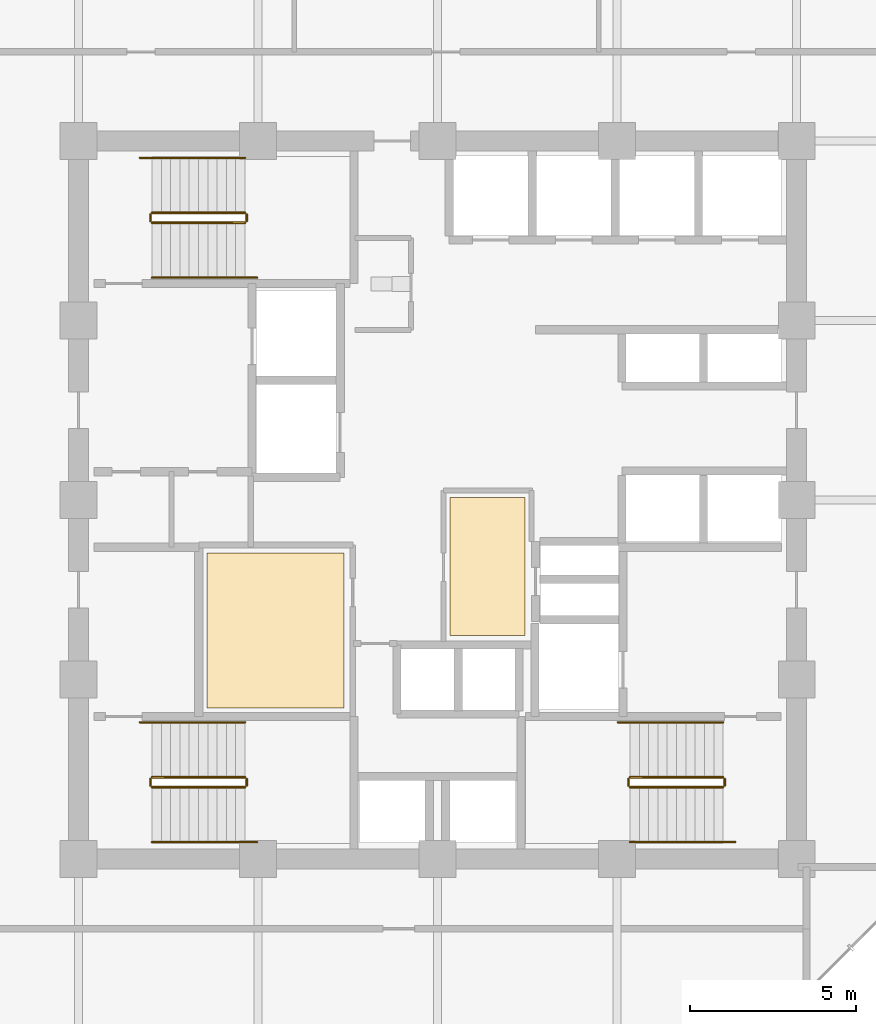
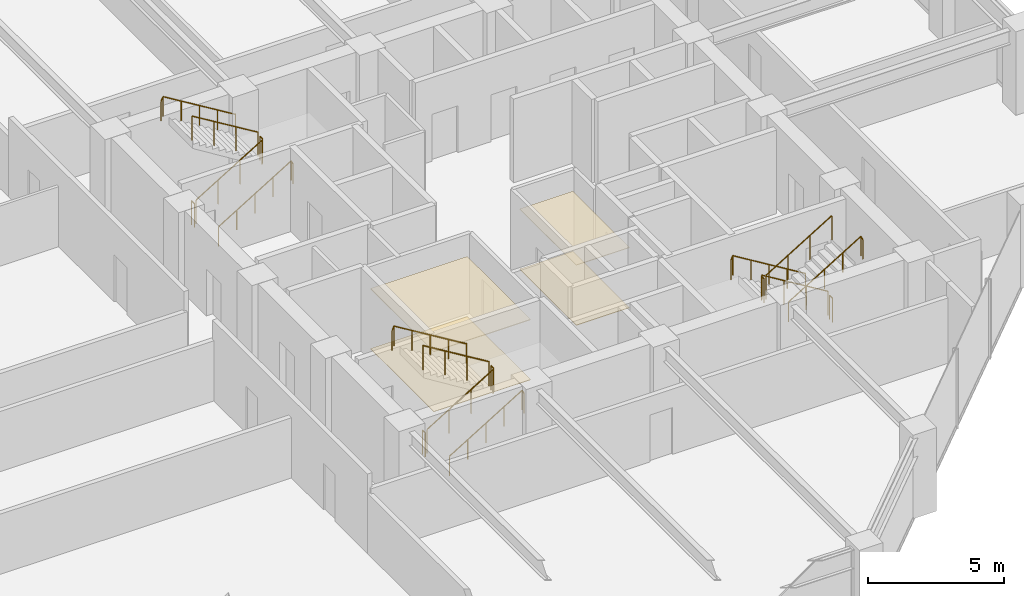
# One storey, part 22 of 23: 18 railings, 4 coverings.
"""IFC4 building model written with IfcOpenShell, lengths in metres."""

from ifc_helpers import new_model, si_unit, direction, frame, origin, origin_2d, place, context, subcontext, project, spatial, polyline, circle, outline, extrude, material, layer, layer_set, type_object, element, save


model = new_model("IFC4")

# Units and contexts
model_context = context("Model", 3, precision=1e-05, world=origin(), true_north=direction((0.0, 1.0)))
body_context = subcontext(model_context, "Body", "Model", "MODEL_VIEW")
ifc_project = project(units=[si_unit("LENGTHUNIT", "METRE"), si_unit("AREAUNIT", "SQUARE_METRE"), si_unit("VOLUMEUNIT", "CUBIC_METRE"), si_unit("PLANEANGLEUNIT", "RADIAN"), si_unit("MASSUNIT", "GRAM", prefix="KILO")], contexts=[model_context])

# Site, building, storey
site_placement = place(None, origin())
site = spatial("IfcSite", under=ifc_project, at=site_placement, CompositionType="ELEMENT")
building_placement = place(site_placement, origin())
building = spatial("IfcBuilding", under=site, at=building_placement, Name="Surkhivell Harbour Commons", CompositionType="ELEMENT")
storey_placement = place(building_placement, frame((0.0, 0.0, 132.0)))
storey = spatial("IfcBuildingStorey", under=building, at=storey_placement, Name="L34", CompositionType="ELEMENT", Elevation=132.0)

# Coverings
ifc_material_1 = material(Name="Perforated acoustic mineral-fibre ceiling tile", Category="other")
ifc_layer_1 = layer(ifc_material_1, 0.02490234375)
ifc_layer_set_1 = layer_set([ifc_layer_1], Name="Perforated acoustic mineral-fibre ceiling tile")
covering_type_1 = type_object("IfcCoveringType", Name="COV-CEIL-AC", PredefinedType="CEILING", material=ifc_layer_set_1)
covering_1_placement = place(storey_placement, frame((0.0, 0.0, 2.694091796875)))
element("IfcCovering", 1, at=covering_1_placement, inside=storey, type_object=covering_type_1, Name="L34 Suspended Acoustic Ceiling 1", PredefinedType="CEILING", context=body_context, shape_type="SweptSolid", body=[
    extrude(outline(polyline([(0.3701171875, -4.080078125), (2.6298828125, -4.080078125), (2.6298828125, 0.080078125), (0.3701171875, 0.080078125), (0.3701171875, -4.080078125)])), origin(), (0.0, 0.0, 1.0), 0.02490234375),
])
ifc_material_2 = material(Name="Moisture-resistant gypsum acoustic ceiling board", Category="other")
ifc_layer_2 = layer(ifc_material_2, 0.030029296875)
ifc_layer_set_2 = layer_set([ifc_layer_2], Name="Moisture-resistant gypsum acoustic ceiling board")
covering_type_2 = type_object("IfcCoveringType", Name="COV-CEIL-GYP", PredefinedType="CEILING", material=ifc_layer_set_2)
covering_2_placement = place(storey_placement, frame((0.0, 0.0, 2.68896484375)))
element("IfcCovering", 2, at=covering_2_placement, inside=storey, type_object=covering_type_2, Name="L34 Suspended Acoustic Ceiling 2", PredefinedType="CEILING", context=body_context, shape_type="SweptSolid", body=[
    extrude(outline(polyline([(-6.929931640625, -6.260009765625), (-2.820068359375, -6.260009765625), (-2.820068359375, -1.60009765625), (-6.929931640625, -1.60009765625), (-6.929931640625, -6.260009765625)])), origin(), (0.0, 0.0, 1.0), 0.030029296875),
])
ifc_material_3 = material(Name="Engineered acoustic oak timber flooring", Category="wood")
ifc_layer_3 = layer(ifc_material_3, 0.02001953125)
ifc_layer_set_3 = layer_set([ifc_layer_3], Name="Engineered acoustic oak timber flooring")
covering_type_3 = type_object("IfcCoveringType", Name="COV-FLR-TIM", PredefinedType="FLOORING", material=ifc_layer_set_3)
covering_3_placement = place(storey_placement, origin())
element("IfcCovering", 3, at=covering_3_placement, inside=storey, type_object=covering_type_3, Name="L34 Interior Floor Finish 1", PredefinedType="FLOORING", context=body_context, shape_type="SweptSolid", body=[
    extrude(outline(polyline([(0.3701171875, -4.080078125), (2.6298828125, -4.080078125), (2.6298828125, 0.080078125), (0.3701171875, 0.080078125), (0.3701171875, -4.080078125)])), origin(), (0.0, 0.0, 1.0), 0.02001953125),
])
covering_4_placement = place(storey_placement, origin())
element("IfcCovering", 4, at=covering_4_placement, inside=storey, type_object=covering_type_3, Name="L34 Interior Floor Finish 2", PredefinedType="FLOORING", context=body_context, shape_type="SweptSolid", body=[
    extrude(outline(polyline([(-6.929931640625, -6.260009765625), (-2.820068359375, -6.260009765625), (-2.820068359375, -1.60009765625), (-6.929931640625, -1.60009765625), (-6.929931640625, -6.260009765625)])), origin(), (0.0, 0.0, 1.0), 0.02001953125),
])

# Railings
ifc_material_4 = material(Name="Galvanised and painted steel S355 guard rail", Category="steel")
railing_type_1 = type_object("IfcRailingType", Name="RAL-ST-GRD1100", PredefinedType="GUARDRAIL", material=ifc_material_4)
railing_1_placement = place(storey_placement, frame((-8.590087890625, 8.340087890625, 0.17041015625)))
element("IfcRailing", 5, at=railing_1_placement, inside=storey, type_object=railing_type_1, Name="L34 ST1 stair guard 1", PredefinedType="GUARDRAIL", context=body_context, shape_type="SweptSolid", body=[
    extrude(circle(Radius=0.02392578125, at=origin_2d()), frame((0.0, 0.0, 1.076171875), z_axis=(0.854169791009, 0.0, 0.51999420009), x_axis=(0.0, 1.0, 0.0)), (0.0, 0.0, 1.0), 3.278076171875),
    extrude(circle(Radius=0.02099609375, at=origin_2d()), origin(), (0.0, 0.0, 1.0), 1.052001953125),
    extrude(circle(Radius=0.02099609375, at=origin_2d()), frame((0.933349609375, 0.0, 0.568115234375)), (0.0, 0.0, 1.0), 1.052001953125),
    extrude(circle(Radius=0.02099609375, at=origin_2d()), frame((1.86669921875, 0.0, 1.136474609375)), (0.0, 0.0, 1.0), 1.052001953125),
    extrude(circle(Radius=0.02099609375, at=origin_2d()), frame((2.800048828125, 0.0, 1.70458984375)), (0.0, 0.0, 1.0), 1.052001953125),
])
railing_2_placement = place(storey_placement, frame((-5.739990234375, 8.389892578125, 1.875)))
element("IfcRailing", 6, at=railing_2_placement, inside=storey, type_object=railing_type_1, Name="L34 ST1 stair guard 2", PredefinedType="GUARDRAIL", context=body_context, shape_type="SweptSolid", body=[
    extrude(circle(Radius=0.02392578125, at=origin_2d()), frame((0.0, 0.0, 1.076171875), z_axis=(0.0, 1.0, 0.0), x_axis=(-1.0, 0.0, 0.0)), (0.0, 0.0, 1.0), 0.2001953125),
    extrude(circle(Radius=0.02099609375, at=origin_2d()), origin(), (0.0, 0.0, 1.0), 1.052001953125),
    extrude(circle(Radius=0.02099609375, at=origin_2d()), frame((0.0, 0.2001953125, 0.0)), (0.0, 0.0, 1.0), 1.052001953125),
])
railing_3_placement = place(storey_placement, frame((-5.7900390625, 8.639892578125, 2.04541015625)))
element("IfcRailing", 7, at=railing_3_placement, inside=storey, type_object=railing_type_1, Name="L34 ST1 stair guard 3", PredefinedType="GUARDRAIL", context=body_context, shape_type="SweptSolid", body=[
    extrude(circle(Radius=0.02392578125, at=origin_2d()), frame((0.0, 0.0, 1.076171875), z_axis=(-0.854169791009, 0.0, 0.51999420009), x_axis=(0.0, -1.0, 0.0)), (0.0, 0.0, 1.0), 3.278076171875),
    extrude(circle(Radius=0.02099609375, at=origin_2d()), origin(), (0.0, 0.0, 1.0), 1.052001953125),
    extrude(circle(Radius=0.02099609375, at=origin_2d()), frame((-0.933349609375, 0.0, 0.568115234375)), (0.0, 0.0, 1.0), 1.052001953125),
    extrude(circle(Radius=0.02099609375, at=origin_2d()), frame((-1.86669921875, 0.0, 1.136474609375)), (0.0, 0.0, 1.0), 1.052001953125),
    extrude(circle(Radius=0.02099609375, at=origin_2d()), frame((-2.800048828125, 0.0, 1.70458984375)), (0.0, 0.0, 1.0), 1.052001953125),
])
railing_4_placement = place(storey_placement, frame((-8.639892578125, 8.389892578125, 0.0)))
element("IfcRailing", 8, at=railing_4_placement, inside=storey, type_object=railing_type_1, Name="L34 ST1 stair guard 4", PredefinedType="GUARDRAIL", context=body_context, shape_type="SweptSolid", body=[
    extrude(circle(Radius=0.02392578125, at=origin_2d()), frame((0.0, 0.0, 1.076171875), z_axis=(0.0, 1.0, 0.0), x_axis=(-1.0, 0.0, 0.0)), (0.0, 0.0, 1.0), 0.2001953125),
    extrude(circle(Radius=0.02099609375, at=origin_2d()), origin(), (0.0, 0.0, 1.0), 1.052001953125),
    extrude(circle(Radius=0.02099609375, at=origin_2d()), frame((0.0, 0.2001953125, 0.0)), (0.0, 0.0, 1.0), 1.052001953125),
])
railing_5_placement = place(storey_placement, frame((8.590087890625, -8.340087890625, 0.17041015625)))
element("IfcRailing", 9, at=railing_5_placement, inside=storey, type_object=railing_type_1, Name="L34 ST2 stair guard 1", PredefinedType="GUARDRAIL", context=body_context, shape_type="SweptSolid", body=[
    extrude(circle(Radius=0.02392578125, at=origin_2d()), frame((0.0, 0.0, 1.076171875), z_axis=(-0.854169791009, 0.0, 0.51999420009), x_axis=(0.0, -1.0, 0.0)), (0.0, 0.0, 1.0), 3.278076171875),
    extrude(circle(Radius=0.02099609375, at=origin_2d()), origin(), (0.0, 0.0, 1.0), 1.052001953125),
    extrude(circle(Radius=0.02099609375, at=origin_2d()), frame((-0.933349609375, 0.0, 0.568115234375)), (0.0, 0.0, 1.0), 1.052001953125),
    extrude(circle(Radius=0.02099609375, at=origin_2d()), frame((-1.86669921875, 0.0, 1.136474609375)), (0.0, 0.0, 1.0), 1.052001953125),
    extrude(circle(Radius=0.02099609375, at=origin_2d()), frame((-2.800048828125, 0.0, 1.70458984375)), (0.0, 0.0, 1.0), 1.052001953125),
])
railing_6_placement = place(storey_placement, frame((5.739990234375, -8.389892578125, 1.875)))
element("IfcRailing", 10, at=railing_6_placement, inside=storey, type_object=railing_type_1, Name="L34 ST2 stair guard 2", PredefinedType="GUARDRAIL", context=body_context, shape_type="SweptSolid", body=[
    extrude(circle(Radius=0.02392578125, at=origin_2d()), frame((0.0, 0.0, 1.076171875), z_axis=(0.0, -1.0, 0.0), x_axis=(1.0, 0.0, 0.0)), (0.0, 0.0, 1.0), 0.2001953125),
    extrude(circle(Radius=0.02099609375, at=origin_2d()), origin(), (0.0, 0.0, 1.0), 1.052001953125),
    extrude(circle(Radius=0.02099609375, at=origin_2d()), frame((0.0, -0.2001953125, 0.0)), (0.0, 0.0, 1.0), 1.052001953125),
])
railing_7_placement = place(storey_placement, frame((5.7900390625, -8.639892578125, 2.04541015625)))
element("IfcRailing", 11, at=railing_7_placement, inside=storey, type_object=railing_type_1, Name="L34 ST2 stair guard 3", PredefinedType="GUARDRAIL", context=body_context, shape_type="SweptSolid", body=[
    extrude(circle(Radius=0.02392578125, at=origin_2d()), frame((0.0, 0.0, 1.076171875), z_axis=(0.854169791009, 0.0, 0.51999420009), x_axis=(0.0, 1.0, 0.0)), (0.0, 0.0, 1.0), 3.278076171875),
    extrude(circle(Radius=0.02099609375, at=origin_2d()), origin(), (0.0, 0.0, 1.0), 1.052001953125),
    extrude(circle(Radius=0.02099609375, at=origin_2d()), frame((0.933349609375, 0.0, 0.568115234375)), (0.0, 0.0, 1.0), 1.052001953125),
    extrude(circle(Radius=0.02099609375, at=origin_2d()), frame((1.86669921875, 0.0, 1.136474609375)), (0.0, 0.0, 1.0), 1.052001953125),
    extrude(circle(Radius=0.02099609375, at=origin_2d()), frame((2.800048828125, 0.0, 1.70458984375)), (0.0, 0.0, 1.0), 1.052001953125),
])
railing_8_placement = place(storey_placement, frame((8.639892578125, -8.389892578125, 0.0)))
element("IfcRailing", 12, at=railing_8_placement, inside=storey, type_object=railing_type_1, Name="L34 ST2 stair guard 4", PredefinedType="GUARDRAIL", context=body_context, shape_type="SweptSolid", body=[
    extrude(circle(Radius=0.02392578125, at=origin_2d()), frame((0.0, 0.0, 1.076171875), z_axis=(0.0, -1.0, 0.0), x_axis=(1.0, 0.0, 0.0)), (0.0, 0.0, 1.0), 0.2001953125),
    extrude(circle(Radius=0.02099609375, at=origin_2d()), origin(), (0.0, 0.0, 1.0), 1.052001953125),
    extrude(circle(Radius=0.02099609375, at=origin_2d()), frame((0.0, -0.2001953125, 0.0)), (0.0, 0.0, 1.0), 1.052001953125),
])
railing_9_placement = place(storey_placement, frame((-8.590087890625, -8.639892578125, 0.17041015625)))
element("IfcRailing", 13, at=railing_9_placement, inside=storey, type_object=railing_type_1, Name="L34 ST3 stair guard 1", PredefinedType="GUARDRAIL", context=body_context, shape_type="SweptSolid", body=[
    extrude(circle(Radius=0.02392578125, at=origin_2d()), frame((0.0, 0.0, 1.076171875), z_axis=(0.854169791009, 0.0, 0.51999420009), x_axis=(0.0, 1.0, 0.0)), (0.0, 0.0, 1.0), 3.278076171875),
    extrude(circle(Radius=0.02099609375, at=origin_2d()), origin(), (0.0, 0.0, 1.0), 1.052001953125),
    extrude(circle(Radius=0.02099609375, at=origin_2d()), frame((0.933349609375, 0.0, 0.568115234375)), (0.0, 0.0, 1.0), 1.052001953125),
    extrude(circle(Radius=0.02099609375, at=origin_2d()), frame((1.86669921875, 0.0, 1.136474609375)), (0.0, 0.0, 1.0), 1.052001953125),
    extrude(circle(Radius=0.02099609375, at=origin_2d()), frame((2.800048828125, 0.0, 1.70458984375)), (0.0, 0.0, 1.0), 1.052001953125),
])
railing_10_placement = place(storey_placement, frame((-5.739990234375, -8.590087890625, 1.875)))
element("IfcRailing", 14, at=railing_10_placement, inside=storey, type_object=railing_type_1, Name="L34 ST3 stair guard 2", PredefinedType="GUARDRAIL", context=body_context, shape_type="SweptSolid", body=[
    extrude(circle(Radius=0.02392578125, at=origin_2d()), frame((0.0, 0.0, 1.076171875), z_axis=(0.0, 1.0, 0.0), x_axis=(-1.0, 0.0, 0.0)), (0.0, 0.0, 1.0), 0.2001953125),
    extrude(circle(Radius=0.02099609375, at=origin_2d()), origin(), (0.0, 0.0, 1.0), 1.052001953125),
    extrude(circle(Radius=0.02099609375, at=origin_2d()), frame((0.0, 0.2001953125, 0.0)), (0.0, 0.0, 1.0), 1.052001953125),
])
railing_11_placement = place(storey_placement, frame((-5.7900390625, -8.340087890625, 2.04541015625)))
element("IfcRailing", 15, at=railing_11_placement, inside=storey, type_object=railing_type_1, Name="L34 ST3 stair guard 3", PredefinedType="GUARDRAIL", context=body_context, shape_type="SweptSolid", body=[
    extrude(circle(Radius=0.02392578125, at=origin_2d()), frame((0.0, 0.0, 1.076171875), z_axis=(-0.854169791009, 0.0, 0.51999420009), x_axis=(0.0, -1.0, 0.0)), (0.0, 0.0, 1.0), 3.278076171875),
    extrude(circle(Radius=0.02099609375, at=origin_2d()), origin(), (0.0, 0.0, 1.0), 1.052001953125),
    extrude(circle(Radius=0.02099609375, at=origin_2d()), frame((-0.933349609375, 0.0, 0.568115234375)), (0.0, 0.0, 1.0), 1.052001953125),
    extrude(circle(Radius=0.02099609375, at=origin_2d()), frame((-1.86669921875, 0.0, 1.136474609375)), (0.0, 0.0, 1.0), 1.052001953125),
    extrude(circle(Radius=0.02099609375, at=origin_2d()), frame((-2.800048828125, 0.0, 1.70458984375)), (0.0, 0.0, 1.0), 1.052001953125),
])
railing_12_placement = place(storey_placement, frame((-8.639892578125, -8.590087890625, 0.0)))
element("IfcRailing", 16, at=railing_12_placement, inside=storey, type_object=railing_type_1, Name="L34 ST3 stair guard 4", PredefinedType="GUARDRAIL", context=body_context, shape_type="SweptSolid", body=[
    extrude(circle(Radius=0.02392578125, at=origin_2d()), frame((0.0, 0.0, 1.076171875), z_axis=(0.0, 1.0, 0.0), x_axis=(-1.0, 0.0, 0.0)), (0.0, 0.0, 1.0), 0.2001953125),
    extrude(circle(Radius=0.02099609375, at=origin_2d()), origin(), (0.0, 0.0, 1.0), 1.052001953125),
    extrude(circle(Radius=0.02099609375, at=origin_2d()), frame((0.0, 0.2001953125, 0.0)), (0.0, 0.0, 1.0), 1.052001953125),
])
ifc_material_5 = material(Name="Brushed stainless steel S355 handrail", Category="steel")
railing_type_2 = type_object("IfcRailingType", Name="RAL-ST-HND900", PredefinedType="HANDRAIL", material=ifc_material_5)
railing_13_placement = place(storey_placement, frame((-8.590087890625, 6.68994140625, 0.17041015625)))
element("IfcRailing", 17, at=railing_13_placement, inside=storey, type_object=railing_type_2, Name="L34 ST1 stair handrail 1", PredefinedType="HANDRAIL", context=body_context, shape_type="SweptSolid", body=[
    extrude(circle(Radius=0.02392578125, at=origin_2d()), frame((0.0, 0.0, 0.8759765625), z_axis=(0.854177636135, 0.0, 0.519981313056), x_axis=(0.0, 1.0, 0.0)), (0.0, 0.0, 1.0), 3.60595703125),
    extrude(circle(Radius=0.02392578125, at=origin_2d()), frame((3.080078125, 0.0, 2.7509765625), z_axis=(0.425297416671, 0.0, -0.905053648892), x_axis=(0.0, 1.0, 0.0)), (0.0, 0.0, 1.0), 0.188232421875),
    extrude(circle(Radius=0.02099609375, at=origin_2d()), origin(), (0.0, 0.0, 1.0), 0.851806640625),
    extrude(circle(Radius=0.02099609375, at=origin_2d()), frame((0.77001953125, 0.0, 0.46875)), (0.0, 0.0, 1.0), 0.851806640625),
    extrude(circle(Radius=0.02099609375, at=origin_2d()), frame((1.5400390625, 0.0, 0.9375)), (0.0, 0.0, 1.0), 0.851806640625),
    extrude(circle(Radius=0.02099609375, at=origin_2d()), frame((2.31005859375, 0.0, 1.40625)), (0.0, 0.0, 1.0), 0.851806640625),
    extrude(circle(Radius=0.02099609375, at=origin_2d()), frame((3.080078125, 0.0, 1.875)), (0.0, 0.0, 1.0), 0.851806640625),
    extrude(circle(Radius=0.02099609375, at=origin_2d()), frame((3.16015625, 0.0, 1.70458984375)), (0.0, 0.0, 1.0), 0.851806640625),
])
railing_14_placement = place(storey_placement, frame((-5.7900390625, 10.2900390625, 2.04541015625)))
element("IfcRailing", 18, at=railing_14_placement, inside=storey, type_object=railing_type_2, Name="L34 ST1 stair handrail 2", PredefinedType="HANDRAIL", context=body_context, shape_type="SweptSolid", body=[
    extrude(circle(Radius=0.02392578125, at=origin_2d()), frame((0.0, 0.0, 0.8759765625), z_axis=(-0.854177636135, 0.0, 0.519981313056), x_axis=(0.0, -1.0, 0.0)), (0.0, 0.0, 1.0), 3.60595703125),
    extrude(circle(Radius=0.02392578125, at=origin_2d()), frame((-3.080078125, 0.0, 2.7509765625), z_axis=(-0.424234432967, 0.0, -0.905552398199), x_axis=(0.0, -1.0, 0.0)), (0.0, 0.0, 1.0), 0.188232421875),
    extrude(circle(Radius=0.02099609375, at=origin_2d()), origin(), (0.0, 0.0, 1.0), 0.851806640625),
    extrude(circle(Radius=0.02099609375, at=origin_2d()), frame((-0.77001953125, 0.0, 0.46875)), (0.0, 0.0, 1.0), 0.851806640625),
    extrude(circle(Radius=0.02099609375, at=origin_2d()), frame((-1.5400390625, 0.0, 0.9375)), (0.0, 0.0, 1.0), 0.851806640625),
    extrude(circle(Radius=0.02099609375, at=origin_2d()), frame((-2.31005859375, 0.0, 1.40625)), (0.0, 0.0, 1.0), 0.851806640625),
    extrude(circle(Radius=0.02099609375, at=origin_2d()), frame((-3.080078125, 0.0, 1.875)), (0.0, 0.0, 1.0), 0.851806640625),
    extrude(circle(Radius=0.02099609375, at=origin_2d()), frame((-3.159912109375, 0.0, 1.70458984375)), (0.0, 0.0, 1.0), 0.851806640625),
])
railing_15_placement = place(storey_placement, frame((8.590087890625, -6.68994140625, 0.17041015625)))
element("IfcRailing", 19, at=railing_15_placement, inside=storey, type_object=railing_type_2, Name="L34 ST2 stair handrail 1", PredefinedType="HANDRAIL", context=body_context, shape_type="SweptSolid", body=[
    extrude(circle(Radius=0.02392578125, at=origin_2d()), frame((0.0, 0.0, 0.8759765625), z_axis=(-0.854177636135, 0.0, 0.519981313056), x_axis=(0.0, -1.0, 0.0)), (0.0, 0.0, 1.0), 3.60595703125),
    extrude(circle(Radius=0.02392578125, at=origin_2d()), frame((-3.080078125, 0.0, 2.7509765625), z_axis=(-0.425297416671, 0.0, -0.905053648892), x_axis=(0.0, -1.0, 0.0)), (0.0, 0.0, 1.0), 0.188232421875),
    extrude(circle(Radius=0.02099609375, at=origin_2d()), origin(), (0.0, 0.0, 1.0), 0.851806640625),
    extrude(circle(Radius=0.02099609375, at=origin_2d()), frame((-0.77001953125, 0.0, 0.46875)), (0.0, 0.0, 1.0), 0.851806640625),
    extrude(circle(Radius=0.02099609375, at=origin_2d()), frame((-1.5400390625, 0.0, 0.9375)), (0.0, 0.0, 1.0), 0.851806640625),
    extrude(circle(Radius=0.02099609375, at=origin_2d()), frame((-2.31005859375, 0.0, 1.40625)), (0.0, 0.0, 1.0), 0.851806640625),
    extrude(circle(Radius=0.02099609375, at=origin_2d()), frame((-3.080078125, 0.0, 1.875)), (0.0, 0.0, 1.0), 0.851806640625),
    extrude(circle(Radius=0.02099609375, at=origin_2d()), frame((-3.16015625, 0.0, 1.70458984375)), (0.0, 0.0, 1.0), 0.851806640625),
])
railing_16_placement = place(storey_placement, frame((5.7900390625, -10.2900390625, 2.04541015625)))
element("IfcRailing", 20, at=railing_16_placement, inside=storey, type_object=railing_type_2, Name="L34 ST2 stair handrail 2", PredefinedType="HANDRAIL", context=body_context, shape_type="SweptSolid", body=[
    extrude(circle(Radius=0.02392578125, at=origin_2d()), frame((0.0, 0.0, 0.8759765625), z_axis=(0.854177636135, 0.0, 0.519981313056), x_axis=(0.0, 1.0, 0.0)), (0.0, 0.0, 1.0), 3.60595703125),
    extrude(circle(Radius=0.02392578125, at=origin_2d()), frame((3.080078125, 0.0, 2.7509765625), z_axis=(0.424234432967, 0.0, -0.905552398199), x_axis=(0.0, 1.0, 0.0)), (0.0, 0.0, 1.0), 0.188232421875),
    extrude(circle(Radius=0.02099609375, at=origin_2d()), origin(), (0.0, 0.0, 1.0), 0.851806640625),
    extrude(circle(Radius=0.02099609375, at=origin_2d()), frame((0.77001953125, 0.0, 0.46875)), (0.0, 0.0, 1.0), 0.851806640625),
    extrude(circle(Radius=0.02099609375, at=origin_2d()), frame((1.5400390625, 0.0, 0.9375)), (0.0, 0.0, 1.0), 0.851806640625),
    extrude(circle(Radius=0.02099609375, at=origin_2d()), frame((2.31005859375, 0.0, 1.40625)), (0.0, 0.0, 1.0), 0.851806640625),
    extrude(circle(Radius=0.02099609375, at=origin_2d()), frame((3.080078125, 0.0, 1.875)), (0.0, 0.0, 1.0), 0.851806640625),
    extrude(circle(Radius=0.02099609375, at=origin_2d()), frame((3.159912109375, 0.0, 1.70458984375)), (0.0, 0.0, 1.0), 0.851806640625),
])
railing_17_placement = place(storey_placement, frame((-8.590087890625, -10.2900390625, 0.17041015625)))
element("IfcRailing", 21, at=railing_17_placement, inside=storey, type_object=railing_type_2, Name="L34 ST3 stair handrail 1", PredefinedType="HANDRAIL", context=body_context, shape_type="SweptSolid", body=[
    extrude(circle(Radius=0.02392578125, at=origin_2d()), frame((0.0, 0.0, 0.8759765625), z_axis=(0.854177636135, 0.0, 0.519981313056), x_axis=(0.0, 1.0, 0.0)), (0.0, 0.0, 1.0), 3.60595703125),
    extrude(circle(Radius=0.02392578125, at=origin_2d()), frame((3.080078125, 0.0, 2.7509765625), z_axis=(0.425297416671, 0.0, -0.905053648892), x_axis=(0.0, 1.0, 0.0)), (0.0, 0.0, 1.0), 0.188232421875),
    extrude(circle(Radius=0.02099609375, at=origin_2d()), origin(), (0.0, 0.0, 1.0), 0.851806640625),
    extrude(circle(Radius=0.02099609375, at=origin_2d()), frame((0.77001953125, 0.0, 0.46875)), (0.0, 0.0, 1.0), 0.851806640625),
    extrude(circle(Radius=0.02099609375, at=origin_2d()), frame((1.5400390625, 0.0, 0.9375)), (0.0, 0.0, 1.0), 0.851806640625),
    extrude(circle(Radius=0.02099609375, at=origin_2d()), frame((2.31005859375, 0.0, 1.40625)), (0.0, 0.0, 1.0), 0.851806640625),
    extrude(circle(Radius=0.02099609375, at=origin_2d()), frame((3.080078125, 0.0, 1.875)), (0.0, 0.0, 1.0), 0.851806640625),
    extrude(circle(Radius=0.02099609375, at=origin_2d()), frame((3.16015625, 0.0, 1.70458984375)), (0.0, 0.0, 1.0), 0.851806640625),
])
railing_18_placement = place(storey_placement, frame((-5.7900390625, -6.68994140625, 2.04541015625)))
element("IfcRailing", 22, at=railing_18_placement, inside=storey, type_object=railing_type_2, Name="L34 ST3 stair handrail 2", PredefinedType="HANDRAIL", context=body_context, shape_type="SweptSolid", body=[
    extrude(circle(Radius=0.02392578125, at=origin_2d()), frame((0.0, 0.0, 0.8759765625), z_axis=(-0.854177636135, 0.0, 0.519981313056), x_axis=(0.0, -1.0, 0.0)), (0.0, 0.0, 1.0), 3.60595703125),
    extrude(circle(Radius=0.02392578125, at=origin_2d()), frame((-3.080078125, 0.0, 2.7509765625), z_axis=(-0.424234432967, 0.0, -0.905552398199), x_axis=(0.0, -1.0, 0.0)), (0.0, 0.0, 1.0), 0.188232421875),
    extrude(circle(Radius=0.02099609375, at=origin_2d()), origin(), (0.0, 0.0, 1.0), 0.851806640625),
    extrude(circle(Radius=0.02099609375, at=origin_2d()), frame((-0.77001953125, 0.0, 0.46875)), (0.0, 0.0, 1.0), 0.851806640625),
    extrude(circle(Radius=0.02099609375, at=origin_2d()), frame((-1.5400390625, 0.0, 0.9375)), (0.0, 0.0, 1.0), 0.851806640625),
    extrude(circle(Radius=0.02099609375, at=origin_2d()), frame((-2.31005859375, 0.0, 1.40625)), (0.0, 0.0, 1.0), 0.851806640625),
    extrude(circle(Radius=0.02099609375, at=origin_2d()), frame((-3.080078125, 0.0, 1.875)), (0.0, 0.0, 1.0), 0.851806640625),
    extrude(circle(Radius=0.02099609375, at=origin_2d()), frame((-3.159912109375, 0.0, 1.70458984375)), (0.0, 0.0, 1.0), 0.851806640625),
])

save(model, "model.ifc")
